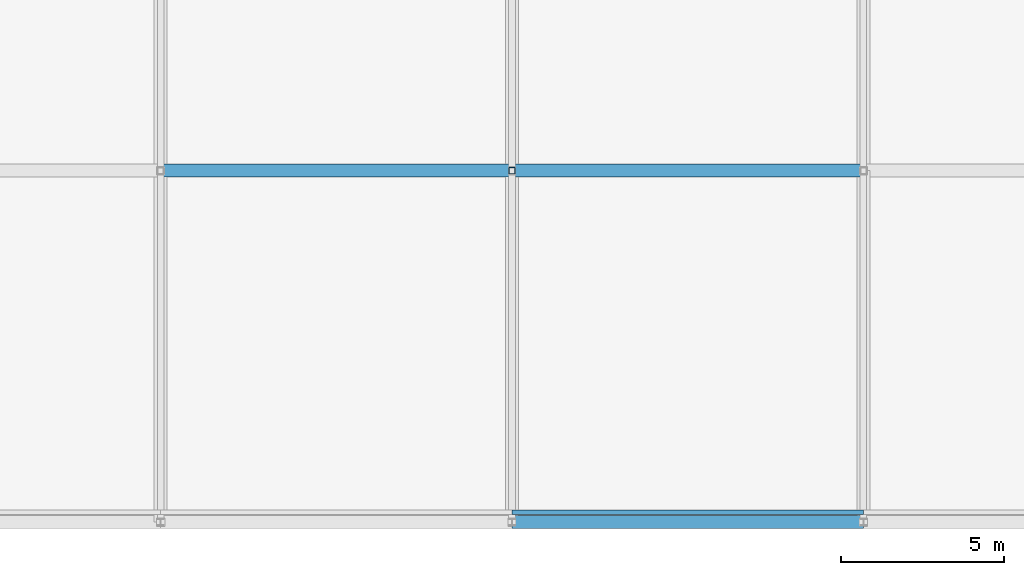
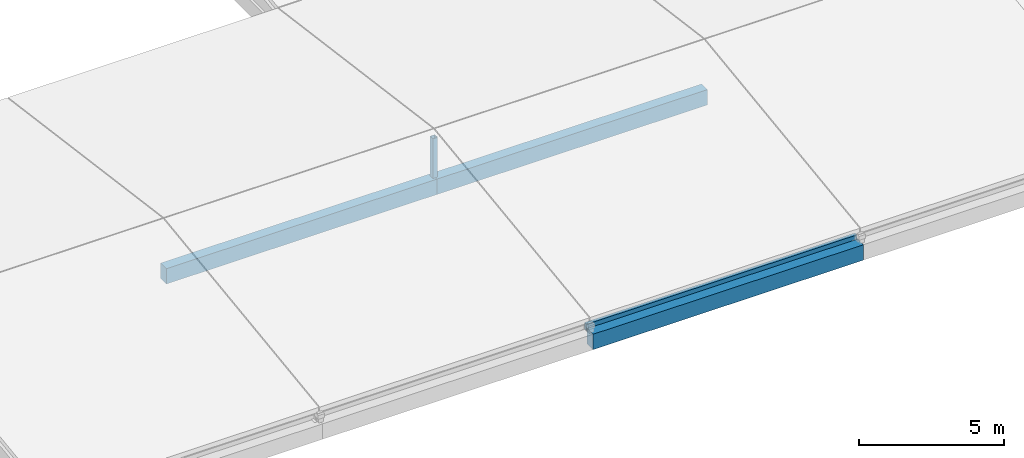
# One storey, part 50 of 112: 3 beams, 2 members.
"""IFC4 building model written with IfcOpenShell, lengths in metres."""

from ifc_helpers import new_model, si_unit, direction, frame, origin, origin_2d, place, context, subcontext, project, spatial, rectangle, hollow_rectangle, extrude, material, material_profile, profile_set, type_object, element, save


model = new_model("IFC4")

# Units and contexts
model_context = context("Model", 3, precision=1e-05, world=origin(), true_north=direction((0.0, 1.0)))
body_context = subcontext(model_context, "Body", "Model", "MODEL_VIEW")
ifc_project = project(units=[si_unit("LENGTHUNIT", "METRE"), si_unit("AREAUNIT", "SQUARE_METRE"), si_unit("VOLUMEUNIT", "CUBIC_METRE"), si_unit("PLANEANGLEUNIT", "RADIAN"), si_unit("MASSUNIT", "GRAM", prefix="KILO")], contexts=[model_context])

# Site, building, storey
site_placement = place(None, origin())
site = spatial("IfcSite", under=ifc_project, at=site_placement, CompositionType="ELEMENT")
building_placement = place(site_placement, origin())
building = spatial("IfcBuilding", under=site, at=building_placement, Name="Zwinboog Wholesale Market", CompositionType="ELEMENT")
storey_placement = place(building_placement, frame((0.0, 0.0, 19.080078125)))
storey = spatial("IfcBuildingStorey", under=building, at=storey_placement, Name="Roof", CompositionType="ELEMENT", Elevation=19.080078125)

# Beams
ifc_material_1 = material(Name="Precast concrete C45/55", Category="concrete")
ifc_material_profile_1 = material_profile(ifc_material_1, rectangle(XDim=0.39990234375, YDim=0.64990234375, at=origin_2d()), Name="PC 400x650")
ifc_profile_set_1 = profile_set([ifc_material_profile_1], Name="Precast concrete C45/55")
beam_type = type_object("IfcBeamType", Name="BT-05", PredefinedType="BEAM", material=ifc_profile_set_1)
for number, where, z_axis, x_axis, name in (
    (1, (140.39990234375, 10.800048828125, -0.3251953125), (1.0, 0.0, 0.0), (0.0, 1.0, 0.0), "BG-05 (BMG-Roof-1404-0108-1291)"),
    (2, (151.199951171875, 0.0, -0.3251953125), (1.0, 0.0, 0.0), (0.0, 1.0, 0.0), "BG-05 (BMG-Roof-1512-0000-1293)"),
    (3, (151.199951171875, 10.800048828125, -0.3251953125), (1.0, 0.0, 0.0), (0.0, 1.0, 0.0), "BG-05 (BMG-Roof-1512-0108-1294)"),
):
    element("IfcBeam", number, at=place(storey_placement, frame(where, z_axis=z_axis, x_axis=x_axis)), inside=storey, type_object=beam_type, Name=name, PredefinedType="BEAM", context=body_context, shape_type="SweptSolid", body=[
        extrude(rectangle(XDim=0.39990234375, YDim=0.64990234375, at=origin_2d()), origin(), (0.0, 0.0, 1.0), 10.800048828125),
    ])

# Members
ifc_material_2 = material(Name="Steel S355", Category="steel")
ifc_material_profile_2 = material_profile(ifc_material_2, hollow_rectangle(XDim=0.199951171875, YDim=0.199951171875, WallThickness=0.010009765625, InnerFilletRadius=0.010009765625, OuterFilletRadius=0.02001953125, at=origin_2d()), Name="SHS 200x200x10")
ifc_profile_set_2 = profile_set([ifc_material_profile_2], Name="Steel S355")
member_type_1 = type_object("IfcMemberType", Name="MT-04", PredefinedType="BRACE", material=ifc_profile_set_2)
member_1_placement = place(storey_placement, frame((151.199951171875, 10.800048828125, -0.280029296875), z_axis=(0.0, 0.0, 1.0), x_axis=(1.0, 0.0, 0.0)))
element("IfcMember", 4, at=member_1_placement, inside=storey, type_object=member_type_1, Name="DB-01 (MEM-Roof-0913)", PredefinedType="BRACE", context=body_context, shape_type="SweptSolid", body=[
    extrude(hollow_rectangle(XDim=0.199951171875, YDim=0.199951171875, WallThickness=0.010009765625, InnerFilletRadius=0.010009765625, OuterFilletRadius=0.02001953125, at=origin_2d()), origin(), (0.0, 0.0, 1.0), 1.949951171875),
])
ifc_material_3 = material(Name="Glulam GL28h", Category="wood")
ifc_material_profile_3 = material_profile(ifc_material_3, rectangle(XDim=0.139892578125, YDim=0.280029296875, at=origin_2d()), Name="GL28h 140x280")
ifc_profile_set_3 = profile_set([ifc_material_profile_3], Name="Glulam GL28h")
member_type_2 = type_object("IfcMemberType", Name="MT-13", PredefinedType="PURLIN", material=ifc_profile_set_3)
member_2_placement = place(storey_placement, frame((151.199951171875, 0.300048828125, 0.02001953125), z_axis=(1.0, 0.0, 0.0), x_axis=(0.0, 1.0, 0.0)))
element("IfcMember", 5, at=member_2_placement, inside=storey, type_object=member_type_2, Name="GP-02 (MEM-Roof-0916)", PredefinedType="PURLIN", context=body_context, shape_type="SweptSolid", body=[
    extrude(rectangle(XDim=0.139892578125, YDim=0.280029296875, at=origin_2d()), origin(), (0.0, 0.0, 1.0), 10.800048828125),
])

save(model, "model.ifc")
